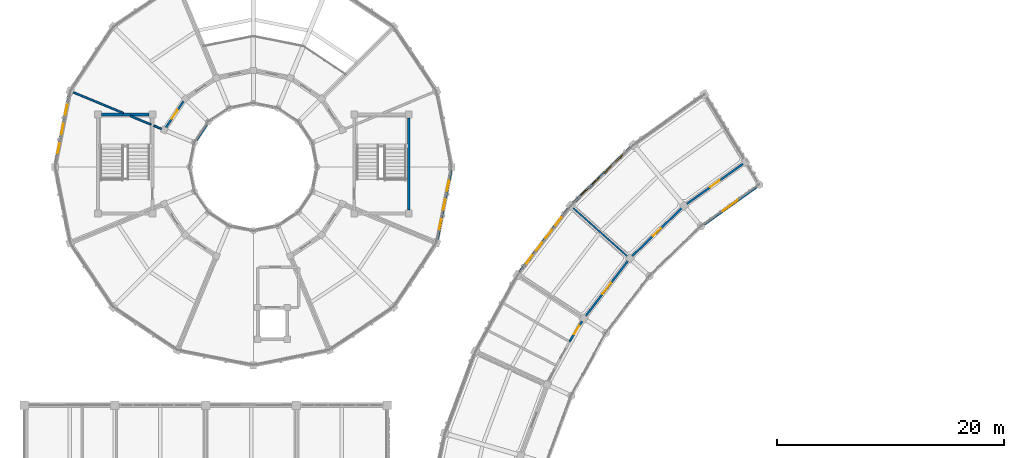
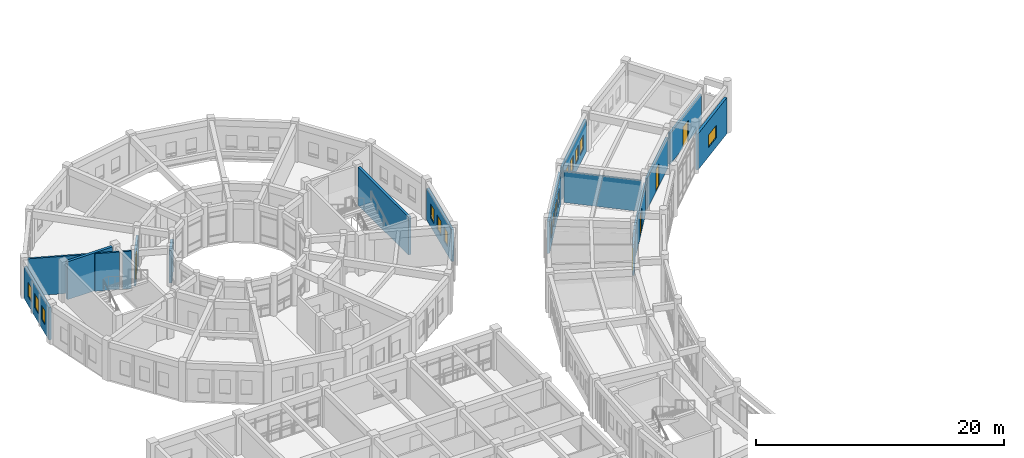
# One storey, part 129 of 159: 17 walls, 15 windows, 5 doors, 20 openings.
"""IFC4 building model written with IfcOpenShell, lengths in metres."""

from ifc_helpers import new_model, si_unit, direction, frame, frame_2d, origin, place, context, subcontext, project, spatial, rectangle, extrude, material, layer, layer_set, type_object, element, fill, save


model = new_model("IFC4")

# Units and contexts
model_context = context("Model", 3, precision=1e-05, world=origin(), true_north=direction((0.0, 1.0)))
body_context = subcontext(model_context, "Body", "Model", "MODEL_VIEW")
ifc_project = project(units=[si_unit("LENGTHUNIT", "METRE"), si_unit("AREAUNIT", "SQUARE_METRE"), si_unit("VOLUMEUNIT", "CUBIC_METRE"), si_unit("PLANEANGLEUNIT", "RADIAN"), si_unit("MASSUNIT", "GRAM", prefix="KILO")], contexts=[model_context])

# Site, building, storey
site_placement = place(None, origin())
site = spatial("IfcSite", under=ifc_project, at=site_placement, CompositionType="ELEMENT")
building_placement = place(site_placement, origin())
building = spatial("IfcBuilding", under=site, at=building_placement, Name="Celadon Cloister-Ring School", CompositionType="ELEMENT")
storey_placement = place(building_placement, frame((0.0, 0.0, 4.5)))
storey = spatial("IfcBuildingStorey", under=building, at=storey_placement, Name="L01", CompositionType="ELEMENT", Elevation=4.5)

# Wall, opening, window
ifc_material_1 = material(Name="Rendered concrete blockwork", Category="masonry")
ifc_layer_1 = layer(ifc_material_1, 0.239990234375)
ifc_layer_set_1 = layer_set([ifc_layer_1], Name="Rendered concrete blockwork")
wall_type_1 = type_object("IfcWallType", Name="WT-EX3", PredefinedType="SOLIDWALL", material=ifc_layer_set_1)
wall_1_placement = place(storey_placement, frame((64.56396484375, 95.2451171875, 0.0), z_axis=(0.0, 0.0, 1.0), x_axis=(-0.813415945059, -0.581682473798, 0.0)))
wall_1 = element("IfcWall", 1, at=wall_1_placement, inside=storey, type_object=wall_type_1, Name="Exterior Wall 0054", PredefinedType="SOLIDWALL", context=body_context, shape_type="SweptSolid", body=[
    extrude(rectangle(XDim=5.664794921875, YDim=0.239990234375, at=frame_2d((2.83251953125, 0.0))), origin(), (0.0, 0.0, 1.0), 3.550048828125),
])
opening_1_placement = place(wall_1_placement, frame((2.031982421875, 0.0, 0.89990234375)))
opening_1 = element("IfcOpeningElement", 2, at=opening_1_placement, cuts=wall_1, Name="Opening WN-16", PredefinedType="OPENING", context=body_context, shape_type="SweptSolid", body=[
    extrude(rectangle(XDim=1.60009765625, YDim=1.25, at=frame_2d((0.800048828125, 0.625))), frame((0.0, 0.1298828125, 0.0), z_axis=(0.0, -1.0, 0.0), x_axis=(1.0, 0.0, 0.0)), (0.0, 0.0, 1.0), 0.260009765625),
])
ifc_material_2 = material(Name="Tempered laminated insulating glass", Category="glass")
window_type_1 = type_object("IfcWindowType", Name="WN-16", PartitioningType="DOUBLE_PANEL_VERTICAL", PredefinedType="WINDOW", material=ifc_material_2)
window_1_placement = place(opening_1_placement, origin())
window_1 = element("IfcWindow", 3, at=window_1_placement, inside=storey, type_object=window_type_1, Name="Window 0132", OverallHeight=1.25, OverallWidth=1.60009765625, PartitioningType="SINGLE_PANEL", PredefinedType="WINDOW", context=body_context, shape_type="SweptSolid", body=[
    extrude(rectangle(XDim=1.60009765625, YDim=1.25, at=frame_2d((0.800048828125, 0.625))), frame((0.0, 0.030029296875, 0.0), z_axis=(0.0, -1.0, 0.0), x_axis=(1.0, 0.0, 0.0)), (0.0, 0.0, 1.0), 0.06005859375),
])
fill(opening_1, window_1)

# Wall
wall_2_placement = place(storey_placement, frame((16.0859375, 100.72998046875, 0.0), z_axis=(0.0, 0.0, 1.0), x_axis=(-0.555287078904, -0.83165874011, 0.0)))
element("IfcWall", 4, at=wall_2_placement, inside=storey, type_object=wall_type_1, Name="Exterior Wall 0239", PredefinedType="SOLIDWALL", context=body_context, shape_type="SweptSolid", body=[
    extrude(rectangle(XDim=1.631591796875, YDim=0.239990234375, at=frame_2d((0.81591796875, 0.0))), origin(), (0.0, 0.0, 1.0), 3.221923828125),
])

# Wall, openings, windows
ifc_material_3 = material(Name="Perforated terracotta clay brick masonry", Category="masonry")
ifc_layer_2 = layer(ifc_material_3, 0.219970703125)
ifc_layer_set_2 = layer_set([ifc_layer_2], Name="Perforated terracotta clay brick masonry")
wall_type_2 = type_object("IfcWallType", Name="WT-EX4", PredefinedType="SOLIDWALL", material=ifc_layer_set_2)
wall_3_placement = place(storey_placement, frame((48.408935546875, 93.818115234375, 0.0), z_axis=(0.0, 0.0, 1.0), x_axis=(0.718677705088, 0.695343336927, 0.0)))
wall_3 = element("IfcWall", 5, at=wall_3_placement, inside=storey, type_object=wall_type_2, Name="Exterior Wall 0055", PredefinedType="SOLIDWALL", context=body_context, shape_type="SweptSolid", body=[
    extrude(rectangle(XDim=7.031005859375, YDim=0.219970703125, at=frame_2d((3.515625, 0.0))), origin(), (0.0, 0.0, 1.0), 3.172119140625),
])
opening_2_placement = place(wall_3_placement, frame((0.9560546875, 0.0, 0.85009765625)))
opening_2 = element("IfcOpeningElement", 6, at=opening_2_placement, cuts=wall_3, Name="Opening WN-21", PredefinedType="OPENING", context=body_context, shape_type="SweptSolid", body=[
    extrude(rectangle(XDim=0.89990234375, YDim=1.39990234375, at=frame_2d((0.449951171875, 0.699951171875))), frame((0.0, 0.1201171875, 0.0), z_axis=(0.0, -1.0, 0.0), x_axis=(1.0, 0.0, 0.0)), (0.0, 0.0, 1.0), 0.239990234375),
])
opening_3_placement = place(wall_3_placement, frame((2.362060546875, 0.0, 0.85009765625)))
opening_3 = element("IfcOpeningElement", 7, at=opening_3_placement, cuts=wall_3, Name="Opening WN-21", PredefinedType="OPENING", context=body_context, shape_type="SweptSolid", body=[
    extrude(rectangle(XDim=0.89990234375, YDim=1.39990234375, at=frame_2d((0.449951171875, 0.699951171875))), frame((0.0, 0.1201171875, 0.0), z_axis=(0.0, -1.0, 0.0), x_axis=(1.0, 0.0, 0.0)), (0.0, 0.0, 1.0), 0.239990234375),
])
opening_4_placement = place(wall_3_placement, frame((3.76904296875, 0.0, 0.85009765625)))
opening_4 = element("IfcOpeningElement", 8, at=opening_4_placement, cuts=wall_3, Name="Opening WN-21", PredefinedType="OPENING", context=body_context, shape_type="SweptSolid", body=[
    extrude(rectangle(XDim=0.89990234375, YDim=1.39990234375, at=frame_2d((0.449951171875, 0.699951171875))), frame((0.0, 0.1201171875, 0.0), z_axis=(0.0, -1.0, 0.0), x_axis=(1.0, 0.0, 0.0)), (0.0, 0.0, 1.0), 0.239990234375),
])
opening_5_placement = place(wall_3_placement, frame((5.175048828125, 0.0, 0.85009765625)))
opening_5 = element("IfcOpeningElement", 9, at=opening_5_placement, cuts=wall_3, Name="Opening WN-21", PredefinedType="OPENING", context=body_context, shape_type="SweptSolid", body=[
    extrude(rectangle(XDim=0.89990234375, YDim=1.39990234375, at=frame_2d((0.449951171875, 0.699951171875))), frame((0.0, 0.1201171875, 0.0), z_axis=(0.0, -1.0, 0.0), x_axis=(1.0, 0.0, 0.0)), (0.0, 0.0, 1.0), 0.239990234375),
])
ifc_material_4 = material(Name="Tempered laminated insulating glass", Category="glass")
window_type_2 = type_object("IfcWindowType", Name="WN-21", PartitioningType="SINGLE_PANEL", PredefinedType="WINDOW", material=ifc_material_4)
window_2_placement = place(opening_2_placement, origin())
window_2 = element("IfcWindow", 10, at=window_2_placement, inside=storey, type_object=window_type_2, Name="Window 0133", OverallHeight=1.39990234375, OverallWidth=0.89990234375, PartitioningType="SINGLE_PANEL", PredefinedType="WINDOW", context=body_context, shape_type="SweptSolid", body=[
    extrude(rectangle(XDim=0.89990234375, YDim=1.39990234375, at=frame_2d((0.449951171875, 0.699951171875))), frame((0.0, 0.030029296875, 0.0), z_axis=(0.0, -1.0, 0.0), x_axis=(1.0, 0.0, 0.0)), (0.0, 0.0, 1.0), 0.06005859375),
])
fill(opening_2, window_2)
window_3_placement = place(opening_3_placement, origin())
window_3 = element("IfcWindow", 11, at=window_3_placement, inside=storey, type_object=window_type_2, Name="Window 0134", OverallHeight=1.39990234375, OverallWidth=0.89990234375, PartitioningType="SINGLE_PANEL", PredefinedType="WINDOW", context=body_context, shape_type="SweptSolid", body=[
    extrude(rectangle(XDim=0.89990234375, YDim=1.39990234375, at=frame_2d((0.449951171875, 0.699951171875))), frame((0.0, 0.030029296875, 0.0), z_axis=(0.0, -1.0, 0.0), x_axis=(1.0, 0.0, 0.0)), (0.0, 0.0, 1.0), 0.06005859375),
])
fill(opening_3, window_3)
window_4_placement = place(opening_4_placement, origin())
window_4 = element("IfcWindow", 12, at=window_4_placement, inside=storey, type_object=window_type_2, Name="Window 0135", OverallHeight=1.39990234375, OverallWidth=0.89990234375, PartitioningType="SINGLE_PANEL", PredefinedType="WINDOW", context=body_context, shape_type="SweptSolid", body=[
    extrude(rectangle(XDim=0.89990234375, YDim=1.39990234375, at=frame_2d((0.449951171875, 0.699951171875))), frame((0.0, 0.030029296875, 0.0), z_axis=(0.0, -1.0, 0.0), x_axis=(1.0, 0.0, 0.0)), (0.0, 0.0, 1.0), 0.06005859375),
])
fill(opening_4, window_4)
window_5_placement = place(opening_5_placement, origin())
window_5 = element("IfcWindow", 13, at=window_5_placement, inside=storey, type_object=window_type_2, Name="Window 0136", OverallHeight=1.39990234375, OverallWidth=0.89990234375, PartitioningType="SINGLE_PANEL", PredefinedType="WINDOW", context=body_context, shape_type="SweptSolid", body=[
    extrude(rectangle(XDim=0.89990234375, YDim=1.39990234375, at=frame_2d((0.449951171875, 0.699951171875))), frame((0.0, 0.030029296875, 0.0), z_axis=(0.0, -1.0, 0.0), x_axis=(1.0, 0.0, 0.0)), (0.0, 0.0, 1.0), 0.06005859375),
])
fill(opening_5, window_5)

wall_4_placement = place(storey_placement, frame((43.68798828125, 87.73388671875, 0.0), z_axis=(0.0, 0.0, 1.0), x_axis=(0.60805685998, 0.793893478391, 0.0)))
wall_4 = element("IfcWall", 14, at=wall_4_placement, inside=storey, type_object=wall_type_2, Name="Exterior Wall 0056", PredefinedType="SOLIDWALL", context=body_context, shape_type="SweptSolid", body=[
    extrude(rectangle(XDim=7.032470703125, YDim=0.219970703125, at=frame_2d((3.51611328125, 0.0))), origin(), (0.0, 0.0, 1.0), 3.172119140625),
])
opening_6_placement = place(wall_4_placement, frame((0.9560546875, 0.0, 0.85009765625)))
opening_6 = element("IfcOpeningElement", 15, at=opening_6_placement, cuts=wall_4, Name="Opening WN-21", PredefinedType="OPENING", context=body_context, shape_type="SweptSolid", body=[
    extrude(rectangle(XDim=0.89990234375, YDim=1.39990234375, at=frame_2d((0.449951171875, 0.699951171875))), frame((0.0, 0.1201171875, 0.0), z_axis=(0.0, -1.0, 0.0), x_axis=(1.0, 0.0, 0.0)), (0.0, 0.0, 1.0), 0.239990234375),
])
opening_7_placement = place(wall_4_placement, frame((2.363037109375, 0.0, 0.85009765625)))
opening_7 = element("IfcOpeningElement", 16, at=opening_7_placement, cuts=wall_4, Name="Opening WN-21", PredefinedType="OPENING", context=body_context, shape_type="SweptSolid", body=[
    extrude(rectangle(XDim=0.89990234375, YDim=1.39990234375, at=frame_2d((0.449951171875, 0.699951171875))), frame((0.0, 0.1201171875, 0.0), z_axis=(0.0, -1.0, 0.0), x_axis=(1.0, 0.0, 0.0)), (0.0, 0.0, 1.0), 0.239990234375),
])
opening_8_placement = place(wall_4_placement, frame((3.76904296875, 0.0, 0.85009765625)))
opening_8 = element("IfcOpeningElement", 17, at=opening_8_placement, cuts=wall_4, Name="Opening WN-21", PredefinedType="OPENING", context=body_context, shape_type="SweptSolid", body=[
    extrude(rectangle(XDim=0.89990234375, YDim=1.39990234375, at=frame_2d((0.449951171875, 0.699951171875))), frame((0.0, 0.1201171875, 0.0), z_axis=(0.0, -1.0, 0.0), x_axis=(1.0, 0.0, 0.0)), (0.0, 0.0, 1.0), 0.239990234375),
])
opening_9_placement = place(wall_4_placement, frame((5.176025390625, 0.0, 0.85009765625)))
opening_9 = element("IfcOpeningElement", 18, at=opening_9_placement, cuts=wall_4, Name="Opening WN-21", PredefinedType="OPENING", context=body_context, shape_type="SweptSolid", body=[
    extrude(rectangle(XDim=0.89990234375, YDim=1.39990234375, at=frame_2d((0.449951171875, 0.699951171875))), frame((0.0, 0.1201171875, 0.0), z_axis=(0.0, -1.0, 0.0), x_axis=(1.0, 0.0, 0.0)), (0.0, 0.0, 1.0), 0.239990234375),
])
window_6_placement = place(opening_6_placement, origin())
window_6 = element("IfcWindow", 19, at=window_6_placement, inside=storey, type_object=window_type_2, Name="Window 0137", OverallHeight=1.39990234375, OverallWidth=0.89990234375, PartitioningType="SINGLE_PANEL", PredefinedType="WINDOW", context=body_context, shape_type="SweptSolid", body=[
    extrude(rectangle(XDim=0.89990234375, YDim=1.39990234375, at=frame_2d((0.449951171875, 0.699951171875))), frame((0.0, 0.030029296875, 0.0), z_axis=(0.0, -1.0, 0.0), x_axis=(1.0, 0.0, 0.0)), (0.0, 0.0, 1.0), 0.06005859375),
])
fill(opening_6, window_6)
window_7_placement = place(opening_7_placement, origin())
window_7 = element("IfcWindow", 20, at=window_7_placement, inside=storey, type_object=window_type_2, Name="Window 0138", OverallHeight=1.39990234375, OverallWidth=0.89990234375, PartitioningType="SINGLE_PANEL", PredefinedType="WINDOW", context=body_context, shape_type="SweptSolid", body=[
    extrude(rectangle(XDim=0.89990234375, YDim=1.39990234375, at=frame_2d((0.449951171875, 0.699951171875))), frame((0.0, 0.030029296875, 0.0), z_axis=(0.0, -1.0, 0.0), x_axis=(1.0, 0.0, 0.0)), (0.0, 0.0, 1.0), 0.06005859375),
])
fill(opening_7, window_7)
window_8_placement = place(opening_8_placement, origin())
window_8 = element("IfcWindow", 21, at=window_8_placement, inside=storey, type_object=window_type_2, Name="Window 0139", OverallHeight=1.39990234375, OverallWidth=0.89990234375, PartitioningType="SINGLE_PANEL", PredefinedType="WINDOW", context=body_context, shape_type="SweptSolid", body=[
    extrude(rectangle(XDim=0.89990234375, YDim=1.39990234375, at=frame_2d((0.449951171875, 0.699951171875))), frame((0.0, 0.030029296875, 0.0), z_axis=(0.0, -1.0, 0.0), x_axis=(1.0, 0.0, 0.0)), (0.0, 0.0, 1.0), 0.06005859375),
])
fill(opening_8, window_8)
window_9_placement = place(opening_9_placement, origin())
window_9 = element("IfcWindow", 22, at=window_9_placement, inside=storey, type_object=window_type_2, Name="Window 0140", OverallHeight=1.39990234375, OverallWidth=0.89990234375, PartitioningType="SINGLE_PANEL", PredefinedType="WINDOW", context=body_context, shape_type="SweptSolid", body=[
    extrude(rectangle(XDim=0.89990234375, YDim=1.39990234375, at=frame_2d((0.449951171875, 0.699951171875))), frame((0.0, 0.030029296875, 0.0), z_axis=(0.0, -1.0, 0.0), x_axis=(1.0, 0.0, 0.0)), (0.0, 0.0, 1.0), 0.06005859375),
])
fill(opening_9, window_9)

wall_5_placement = place(storey_placement, frame((2.763916015625, 97.322998046875, 0.0), z_axis=(0.0, 0.0, 1.0), x_axis=(0.195164813773, 0.980770460131, 0.0)))
wall_5 = element("IfcWall", 23, at=wall_5_placement, inside=storey, type_object=wall_type_2, Name="Exterior Wall 0240", PredefinedType="SOLIDWALL", context=body_context, shape_type="SweptSolid", body=[
    extrude(rectangle(XDim=6.169677734375, YDim=0.219970703125, at=frame_2d((3.0849609375, 0.0))), origin(), (0.0, 0.0, 1.0), 3.172119140625),
])
opening_10_placement = place(wall_5_placement, frame((0.906982421875, 0.0, 0.85009765625)))
opening_10 = element("IfcOpeningElement", 24, at=opening_10_placement, cuts=wall_5, Name="Opening WN-21", PredefinedType="OPENING", context=body_context, shape_type="SweptSolid", body=[
    extrude(rectangle(XDim=0.89990234375, YDim=1.39990234375, at=frame_2d((0.449951171875, 0.699951171875))), frame((0.0, 0.1201171875, 0.0), z_axis=(0.0, -1.0, 0.0), x_axis=(1.0, 0.0, 0.0)), (0.0, 0.0, 1.0), 0.239990234375),
])
opening_11_placement = place(wall_5_placement, frame((2.635009765625, 0.0, 0.85009765625)))
opening_11 = element("IfcOpeningElement", 25, at=opening_11_placement, cuts=wall_5, Name="Opening WN-21", PredefinedType="OPENING", context=body_context, shape_type="SweptSolid", body=[
    extrude(rectangle(XDim=0.89990234375, YDim=1.39990234375, at=frame_2d((0.449951171875, 0.699951171875))), frame((0.0, 0.1201171875, 0.0), z_axis=(0.0, -1.0, 0.0), x_axis=(1.0, 0.0, 0.0)), (0.0, 0.0, 1.0), 0.239990234375),
])
opening_12_placement = place(wall_5_placement, frame((4.362060546875, 0.0, 0.85009765625)))
opening_12 = element("IfcOpeningElement", 26, at=opening_12_placement, cuts=wall_5, Name="Opening WN-21", PredefinedType="OPENING", context=body_context, shape_type="SweptSolid", body=[
    extrude(rectangle(XDim=0.89990234375, YDim=1.39990234375, at=frame_2d((0.449951171875, 0.699951171875))), frame((0.0, 0.1201171875, 0.0), z_axis=(0.0, -1.0, 0.0), x_axis=(1.0, 0.0, 0.0)), (0.0, 0.0, 1.0), 0.239990234375),
])
window_10_placement = place(opening_10_placement, origin())
window_10 = element("IfcWindow", 27, at=window_10_placement, inside=storey, type_object=window_type_2, Name="Window 0640", OverallHeight=1.39990234375, OverallWidth=0.89990234375, PartitioningType="SINGLE_PANEL", PredefinedType="WINDOW", context=body_context, shape_type="SweptSolid", body=[
    extrude(rectangle(XDim=0.89990234375, YDim=1.39990234375, at=frame_2d((0.449951171875, 0.699951171875))), frame((0.0, 0.030029296875, 0.0), z_axis=(0.0, -1.0, 0.0), x_axis=(1.0, 0.0, 0.0)), (0.0, 0.0, 1.0), 0.06005859375),
])
fill(opening_10, window_10)
window_11_placement = place(opening_11_placement, origin())
window_11 = element("IfcWindow", 28, at=window_11_placement, inside=storey, type_object=window_type_2, Name="Window 0641", OverallHeight=1.39990234375, OverallWidth=0.89990234375, PartitioningType="SINGLE_PANEL", PredefinedType="WINDOW", context=body_context, shape_type="SweptSolid", body=[
    extrude(rectangle(XDim=0.89990234375, YDim=1.39990234375, at=frame_2d((0.449951171875, 0.699951171875))), frame((0.0, 0.030029296875, 0.0), z_axis=(0.0, -1.0, 0.0), x_axis=(1.0, 0.0, 0.0)), (0.0, 0.0, 1.0), 0.06005859375),
])
fill(opening_11, window_11)
window_12_placement = place(opening_12_placement, origin())
window_12 = element("IfcWindow", 29, at=window_12_placement, inside=storey, type_object=window_type_2, Name="Window 0642", OverallHeight=1.39990234375, OverallWidth=0.89990234375, PartitioningType="SINGLE_PANEL", PredefinedType="WINDOW", context=body_context, shape_type="SweptSolid", body=[
    extrude(rectangle(XDim=0.89990234375, YDim=1.39990234375, at=frame_2d((0.449951171875, 0.699951171875))), frame((0.0, 0.030029296875, 0.0), z_axis=(0.0, -1.0, 0.0), x_axis=(1.0, 0.0, 0.0)), (0.0, 0.0, 1.0), 0.06005859375),
])
fill(opening_12, window_12)

wall_6_placement = place(storey_placement, frame((37.635986328125, 96.677001953125, 0.0), z_axis=(0.0, 0.0, 1.0), x_axis=(-0.195164813773, -0.980770460131, 0.0)))
wall_6 = element("IfcWall", 30, at=wall_6_placement, inside=storey, type_object=wall_type_2, Name="Exterior Wall 0250", PredefinedType="SOLIDWALL", context=body_context, shape_type="SweptSolid", body=[
    extrude(rectangle(XDim=6.169677734375, YDim=0.219970703125, at=frame_2d((3.0849609375, 0.0))), origin(), (0.0, 0.0, 1.0), 3.172119140625),
])
opening_13_placement = place(wall_6_placement, frame((0.906982421875, 0.0, 0.85009765625)))
opening_13 = element("IfcOpeningElement", 31, at=opening_13_placement, cuts=wall_6, Name="Opening WN-21", PredefinedType="OPENING", context=body_context, shape_type="SweptSolid", body=[
    extrude(rectangle(XDim=0.89990234375, YDim=1.39990234375, at=frame_2d((0.449951171875, 0.699951171875))), frame((0.0, 0.1201171875, 0.0), z_axis=(0.0, -1.0, 0.0), x_axis=(1.0, 0.0, 0.0)), (0.0, 0.0, 1.0), 0.239990234375),
])
opening_14_placement = place(wall_6_placement, frame((2.635009765625, 0.0, 0.85009765625)))
opening_14 = element("IfcOpeningElement", 32, at=opening_14_placement, cuts=wall_6, Name="Opening WN-21", PredefinedType="OPENING", context=body_context, shape_type="SweptSolid", body=[
    extrude(rectangle(XDim=0.89990234375, YDim=1.39990234375, at=frame_2d((0.449951171875, 0.699951171875))), frame((0.0, 0.1201171875, 0.0), z_axis=(0.0, -1.0, 0.0), x_axis=(1.0, 0.0, 0.0)), (0.0, 0.0, 1.0), 0.239990234375),
])
opening_15_placement = place(wall_6_placement, frame((4.362060546875, 0.0, 0.85009765625)))
opening_15 = element("IfcOpeningElement", 33, at=opening_15_placement, cuts=wall_6, Name="Opening WN-21", PredefinedType="OPENING", context=body_context, shape_type="SweptSolid", body=[
    extrude(rectangle(XDim=0.89990234375, YDim=1.39990234375, at=frame_2d((0.449951171875, 0.699951171875))), frame((0.0, 0.1201171875, 0.0), z_axis=(0.0, -1.0, 0.0), x_axis=(1.0, 0.0, 0.0)), (0.0, 0.0, 1.0), 0.239990234375),
])
window_13_placement = place(opening_13_placement, origin())
window_13 = element("IfcWindow", 34, at=window_13_placement, inside=storey, type_object=window_type_2, Name="Window 0664", OverallHeight=1.39990234375, OverallWidth=0.89990234375, PartitioningType="SINGLE_PANEL", PredefinedType="WINDOW", context=body_context, shape_type="SweptSolid", body=[
    extrude(rectangle(XDim=0.89990234375, YDim=1.39990234375, at=frame_2d((0.449951171875, 0.699951171875))), frame((0.0, 0.030029296875, 0.0), z_axis=(0.0, -1.0, 0.0), x_axis=(1.0, 0.0, 0.0)), (0.0, 0.0, 1.0), 0.06005859375),
])
fill(opening_13, window_13)
window_14_placement = place(opening_14_placement, origin())
window_14 = element("IfcWindow", 35, at=window_14_placement, inside=storey, type_object=window_type_2, Name="Window 0665", OverallHeight=1.39990234375, OverallWidth=0.89990234375, PartitioningType="SINGLE_PANEL", PredefinedType="WINDOW", context=body_context, shape_type="SweptSolid", body=[
    extrude(rectangle(XDim=0.89990234375, YDim=1.39990234375, at=frame_2d((0.449951171875, 0.699951171875))), frame((0.0, 0.030029296875, 0.0), z_axis=(0.0, -1.0, 0.0), x_axis=(1.0, 0.0, 0.0)), (0.0, 0.0, 1.0), 0.06005859375),
])
fill(opening_14, window_14)
window_15_placement = place(opening_15_placement, origin())
window_15 = element("IfcWindow", 36, at=window_15_placement, inside=storey, type_object=window_type_2, Name="Window 0666", OverallHeight=1.39990234375, OverallWidth=0.89990234375, PartitioningType="SINGLE_PANEL", PredefinedType="WINDOW", context=body_context, shape_type="SweptSolid", body=[
    extrude(rectangle(XDim=0.89990234375, YDim=1.39990234375, at=frame_2d((0.449951171875, 0.699951171875))), frame((0.0, 0.030029296875, 0.0), z_axis=(0.0, -1.0, 0.0), x_axis=(1.0, 0.0, 0.0)), (0.0, 0.0, 1.0), 0.06005859375),
])
fill(opening_15, window_15)

# Wall, opening, door
ifc_material_5 = material(Name="Plastered hollow concrete masonry", Category="masonry")
ifc_layer_3 = layer(ifc_material_5, 0.179931640625)
ifc_layer_set_3 = layer_set([ifc_layer_3], Name="Plastered hollow concrete masonry")
wall_type_3 = type_object("IfcWallType", Name="WT-PT2", PredefinedType="PARTITIONING", material=ifc_layer_set_3)
wall_7_placement = place(storey_placement, frame((63.3701171875, 97.27197265625, 0.0), z_axis=(0.0, 0.0, 1.0), x_axis=(-0.813478411551, -0.581595111688, 0.0)))
wall_7 = element("IfcWall", 37, at=wall_7_placement, inside=storey, type_object=wall_type_3, Name="Interior Wall 0506", PredefinedType="PARTITIONING", context=body_context, shape_type="SweptSolid", body=[
    extrude(rectangle(XDim=6.081298828125, YDim=0.179931640625, at=frame_2d((3.04052734375, 0.0))), origin(), (0.0, 0.0, 1.0), 3.072021484375),
])
opening_16_placement = place(wall_7_placement, frame((2.541015625, 0.0, 0.0)))
opening_16 = element("IfcOpeningElement", 38, at=opening_16_placement, cuts=wall_7, Name="Opening D-0144", PredefinedType="OPENING", context=body_context, shape_type="SweptSolid", body=[
    extrude(rectangle(XDim=1.0, YDim=2.10009765625, at=frame_2d((0.5, 1.050048828125))), frame((0.0, 0.10009765625, 0.0), z_axis=(0.0, -1.0, 0.0), x_axis=(1.0, 0.0, 0.0)), (0.0, 0.0, 1.0), 0.199951171875),
])
ifc_material_6 = material(Name="Solid-core fire-rated hardwood leaf", Category="wood")
door_type_1 = type_object("IfcDoorType", Name="DT-04", OperationType="NOTDEFINED", PredefinedType="DOOR", material=ifc_material_6)
door_1_placement = place(opening_16_placement, origin())
door_1 = element("IfcDoor", 39, at=door_1_placement, inside=storey, type_object=door_type_1, Name="Door D-0144", OperationType="SINGLE_SWING_RIGHT", OverallHeight=2.10009765625, OverallWidth=1.0, PredefinedType="DOOR", context=body_context, shape_type="SweptSolid", body=[
    extrude(rectangle(XDim=1.0, YDim=2.10009765625, at=frame_2d((0.5, 1.050048828125))), frame((0.0, 0.02490234375, 0.0), z_axis=(0.0, -1.0, 0.0), x_axis=(1.0, 0.0, 0.0)), (0.0, 0.0, 1.0), 0.050048828125),
])
fill(opening_16, door_1)

wall_8_placement = place(storey_placement, frame((57.97509765625, 93.361083984375, 0.0), z_axis=(0.0, 0.0, 1.0), x_axis=(-0.7186137907, -0.695409390084, 0.0)))
wall_8 = element("IfcWall", 40, at=wall_8_placement, inside=storey, type_object=wall_type_3, Name="Interior Wall 0507", PredefinedType="PARTITIONING", context=body_context, shape_type="SweptSolid", body=[
    extrude(rectangle(XDim=6.081298828125, YDim=0.179931640625, at=frame_2d((3.04052734375, 0.0))), origin(), (0.0, 0.0, 1.0), 3.072021484375),
])
opening_17_placement = place(wall_8_placement, frame((2.551025390625, 0.0, 0.0)))
opening_17 = element("IfcOpeningElement", 41, at=opening_17_placement, cuts=wall_8, Name="Opening D-0145", PredefinedType="OPENING", context=body_context, shape_type="SweptSolid", body=[
    extrude(rectangle(XDim=0.97998046875, YDim=2.199951171875, at=frame_2d((0.489990234375, 1.10009765625))), frame((0.0, 0.10009765625, 0.0), z_axis=(0.0, -1.0, 0.0), x_axis=(1.0, 0.0, 0.0)), (0.0, 0.0, 1.0), 0.199951171875),
])
ifc_material_7 = material(Name="Solid-core fire-rated hardwood leaf", Category="wood")
door_type_2 = type_object("IfcDoorType", Name="DT-07", OperationType="NOTDEFINED", PredefinedType="DOOR", material=ifc_material_7)
door_2_placement = place(opening_17_placement, origin())
door_2 = element("IfcDoor", 42, at=door_2_placement, inside=storey, type_object=door_type_2, Name="Door D-0145", OperationType="SINGLE_SWING_LEFT", OverallHeight=2.199951171875, OverallWidth=0.97998046875, PredefinedType="DOOR", context=body_context, shape_type="SweptSolid", body=[
    extrude(rectangle(XDim=0.97998046875, YDim=2.199951171875, at=frame_2d((0.489990234375, 1.10009765625))), frame((0.0, 0.02490234375, 0.0), z_axis=(0.0, -1.0, 0.0), x_axis=(1.0, 0.0, 0.0)), (0.0, 0.0, 1.0), 0.050048828125),
])
fill(opening_17, door_2)

wall_9_placement = place(storey_placement, frame((53.217041015625, 88.696044921875, 0.0), z_axis=(0.0, 0.0, 1.0), x_axis=(-0.607883612756, -0.794026141473, 0.0)))
wall_9 = element("IfcWall", 43, at=wall_9_placement, inside=storey, type_object=wall_type_3, Name="Interior Wall 0508", PredefinedType="PARTITIONING", context=body_context, shape_type="SweptSolid", body=[
    extrude(rectangle(XDim=6.081787109375, YDim=0.179931640625, at=frame_2d((3.041015625, 0.0))), origin(), (0.0, 0.0, 1.0), 3.072021484375),
])
opening_18_placement = place(wall_9_placement, frame((2.416015625, 0.0, 0.0)))
opening_18 = element("IfcOpeningElement", 44, at=opening_18_placement, cuts=wall_9, Name="Opening D-0146", PredefinedType="OPENING", context=body_context, shape_type="SweptSolid", body=[
    extrude(rectangle(XDim=1.25, YDim=2.199951171875, at=frame_2d((0.625, 1.10009765625))), frame((0.0, 0.10009765625, 0.0), z_axis=(0.0, -1.0, 0.0), x_axis=(1.0, 0.0, 0.0)), (0.0, 0.0, 1.0), 0.199951171875),
])
ifc_material_8 = material(Name="Galvanised fire-rated hollow steel leaf", Category="steel")
door_type_3 = type_object("IfcDoorType", Name="DT-10", OperationType="NOTDEFINED", PredefinedType="DOOR", material=ifc_material_8)
door_3_placement = place(opening_18_placement, origin())
door_3 = element("IfcDoor", 45, at=door_3_placement, inside=storey, type_object=door_type_3, Name="Door D-0146", OperationType="SINGLE_SWING_RIGHT", OverallHeight=2.199951171875, OverallWidth=1.25, PredefinedType="DOOR", context=body_context, shape_type="SweptSolid", body=[
    extrude(rectangle(XDim=1.25, YDim=2.199951171875, at=frame_2d((0.625, 1.10009765625))), frame((0.0, 0.02490234375, 0.0), z_axis=(0.0, -1.0, 0.0), x_axis=(1.0, 0.0, 0.0)), (0.0, 0.0, 1.0), 0.050048828125),
])
fill(opening_18, door_3)

wall_10_placement = place(storey_placement, frame((49.18896484375, 83.385986328125, 0.0), z_axis=(0.0, 0.0, 1.0), x_axis=(-0.525246440568, -0.850950161097, 0.0)))
wall_10 = element("IfcWall", 46, at=wall_10_placement, inside=storey, type_object=wall_type_3, Name="Interior Wall 0509", PredefinedType="PARTITIONING", context=body_context, shape_type="SweptSolid", body=[
    extrude(rectangle(XDim=2.109375, YDim=0.179931640625, at=frame_2d((1.0546875, 0.0))), origin(), (0.0, 0.0, 1.0), 3.072021484375),
])
opening_19_placement = place(wall_10_placement, frame((0.468994140625, 0.0, 0.0)))
opening_19 = element("IfcOpeningElement", 47, at=opening_19_placement, cuts=wall_10, Name="Opening D-0147", PredefinedType="OPENING", context=body_context, shape_type="SweptSolid", body=[
    extrude(rectangle(XDim=0.8798828125, YDim=2.10009765625, at=frame_2d((0.43994140625, 1.050048828125))), frame((0.0, 0.10009765625, 0.0), z_axis=(0.0, -1.0, 0.0), x_axis=(1.0, 0.0, 0.0)), (0.0, 0.0, 1.0), 0.199951171875),
])
ifc_material_9 = material(Name="Solid-core fire-rated hardwood leaf", Category="wood")
door_type_4 = type_object("IfcDoorType", Name="DT-01", OperationType="NOTDEFINED", PredefinedType="DOOR", material=ifc_material_9)
door_4_placement = place(opening_19_placement, origin())
door_4 = element("IfcDoor", 48, at=door_4_placement, inside=storey, type_object=door_type_4, Name="Door D-0147", OperationType="SINGLE_SWING_LEFT", OverallHeight=2.10009765625, OverallWidth=0.8798828125, PredefinedType="DOOR", context=body_context, shape_type="SweptSolid", body=[
    extrude(rectangle(XDim=0.8798828125, YDim=2.10009765625, at=frame_2d((0.43994140625, 1.050048828125))), frame((0.0, 0.02490234375, 0.0), z_axis=(0.0, -1.0, 0.0), x_axis=(1.0, 0.0, 0.0)), (0.0, 0.0, 1.0), 0.050048828125),
])
fill(opening_19, door_4)

wall_11_placement = place(storey_placement, frame((14.0390625, 102.783935546875, 0.0), z_axis=(0.0, 0.0, 1.0), x_axis=(-0.555797002478, -0.831318045056, 0.0)))
wall_11 = element("IfcWall", 49, at=wall_11_placement, inside=storey, type_object=wall_type_3, Name="Interior Wall 0693", PredefinedType="PARTITIONING", context=body_context, shape_type="SweptSolid", body=[
    extrude(rectangle(XDim=2.772705078125, YDim=0.179931640625, at=frame_2d((1.38623046875, 0.0))), origin(), (0.0, 0.0, 1.0), 3.072021484375),
])
opening_20_placement = place(wall_11_placement, frame((0.926025390625, 0.0, 0.0)))
opening_20 = element("IfcOpeningElement", 50, at=opening_20_placement, cuts=wall_11, Name="Opening D-0253", PredefinedType="OPENING", context=body_context, shape_type="SweptSolid", body=[
    extrude(rectangle(XDim=0.919921875, YDim=2.10009765625, at=frame_2d((0.4599609375, 1.050048828125))), frame((0.0, 0.10009765625, 0.0), z_axis=(0.0, -1.0, 0.0), x_axis=(1.0, 0.0, 0.0)), (0.0, 0.0, 1.0), 0.199951171875),
])
ifc_material_10 = material(Name="Solid-core fire-rated hardwood leaf", Category="wood")
door_type_5 = type_object("IfcDoorType", Name="DT-02", OperationType="NOTDEFINED", PredefinedType="DOOR", material=ifc_material_10)
door_5_placement = place(opening_20_placement, origin())
door_5 = element("IfcDoor", 51, at=door_5_placement, inside=storey, type_object=door_type_5, Name="Door D-0253", OperationType="SINGLE_SWING_LEFT", OverallHeight=2.10009765625, OverallWidth=0.919921875, PredefinedType="DOOR", context=body_context, shape_type="SweptSolid", body=[
    extrude(rectangle(XDim=0.919921875, YDim=2.10009765625, at=frame_2d((0.4599609375, 1.050048828125))), frame((0.0, 0.02490234375, 0.0), z_axis=(0.0, -1.0, 0.0), x_axis=(1.0, 0.0, 0.0)), (0.0, 0.0, 1.0), 0.050048828125),
])
fill(opening_20, door_5)

# Walls
ifc_material_11 = material(Name="Plastered hollow concrete masonry", Category="masonry")
ifc_layer_4 = layer(ifc_material_11, 0.159912109375)
ifc_layer_set_4 = layer_set([ifc_layer_4], Name="Plastered hollow concrete masonry")
wall_type_4 = type_object("IfcWallType", Name="WT-PT3", PredefinedType="PARTITIONING", material=ifc_layer_set_4)
wall_12_placement = place(storey_placement, frame((12.10009765625, 100.35498046875, 0.0), z_axis=(0.0, 0.0, 1.0), x_axis=(-0.924069600435, 0.382224245113, 0.0)))
element("IfcWall", 52, at=wall_12_placement, inside=storey, type_object=wall_type_4, Name="Interior Wall 0675", PredefinedType="PARTITIONING", context=body_context, shape_type="SweptSolid", body=[
    extrude(rectangle(XDim=0.732666015625, YDim=0.159912109375, at=frame_2d((0.3662109375, 0.0))), origin(), (0.0, 0.0, 1.0), 3.699951171875),
])
wall_13_placement = place(storey_placement, frame((11.177001953125, 100.737060546875, 0.0), z_axis=(0.0, 0.0, 1.0), x_axis=(-0.923817443679, 0.382833293686, 0.0)))
element("IfcWall", 53, at=wall_13_placement, inside=storey, type_object=wall_type_4, Name="Interior Wall 0676", PredefinedType="PARTITIONING", context=body_context, shape_type="SweptSolid", body=[
    extrude(rectangle(XDim=1.985107421875, YDim=0.159912109375, at=frame_2d((0.99267578125, 0.0))), origin(), (0.0, 0.0, 1.0), 3.699951171875),
])
wall_14_placement = place(storey_placement, frame((8.7490234375, 101.742919921875, 0.0), z_axis=(0.0, 0.0, 1.0), x_axis=(-0.923877739946, 0.382687759972, 0.0)))
element("IfcWall", 54, at=wall_14_placement, inside=storey, type_object=wall_type_4, Name="Interior Wall 0677", PredefinedType="PARTITIONING", context=body_context, shape_type="SweptSolid", body=[
    extrude(rectangle(XDim=4.8134765625, YDim=0.159912109375, at=frame_2d((2.40673828125, 0.0))), origin(), (0.0, 0.0, 1.0), 3.699951171875),
])
ifc_material_12 = material(Name="Acoustic mineral-wool drywall partition")
ifc_layer_5 = layer(ifc_material_12, 0.139892578125)
ifc_layer_set_5 = layer_set([ifc_layer_5], Name="Acoustic mineral-wool drywall partition")
wall_type_5 = type_object("IfcWallType", Name="WT-PT4", PredefinedType="PARTITIONING", material=ifc_layer_set_5)
wall_15_placement = place(storey_placement, frame((53.177001953125, 89.1220703125, 0.0), z_axis=(0.0, 0.0, 1.0), x_axis=(-0.746692270919, 0.665169641934, 0.0)))
element("IfcWall", 55, at=wall_15_placement, inside=storey, type_object=wall_type_5, Name="Interior Wall 0483", PredefinedType="PARTITIONING", context=body_context, shape_type="SweptSolid", body=[
    extrude(rectangle(XDim=6.390869140625, YDim=0.139892578125, at=frame_2d((3.1953125, 0.0))), origin(), (0.0, 0.0, 1.0), 3.072021484375),
])
ifc_material_13 = material(Name="Concrete C40/50", Category="concrete")
ifc_layer_6 = layer(ifc_material_13, 0.239990234375)
ifc_layer_set_6 = layer_set([ifc_layer_6], Name="Concrete C40/50")
wall_type_6 = type_object("IfcWallType", Name="WT-SH1", PredefinedType="SHEAR", material=ifc_layer_set_6)
wall_16_placement = place(storey_placement, frame((11.008056640625, 101.6201171875, 0.0), z_axis=(0.0, 0.0, 1.0), x_axis=(-1.0, 0.0, 0.0)))
element("IfcWall", 56, at=wall_16_placement, inside=storey, type_object=wall_type_6, Name="Interior Wall 0088", PredefinedType="SHEAR", context=body_context, shape_type="SweptSolid", body=[
    extrude(rectangle(XDim=4.216064453125, YDim=0.239990234375, at=frame_2d((2.10791015625, 0.0))), origin(), (0.0, 0.0, 1.0), 3.739990234375),
])
wall_17_placement = place(storey_placement, frame((33.89990234375, 101.327880859375, 0.0), z_axis=(0.0, 0.0, 1.0), x_axis=(0.0, -1.0, 0.0)))
element("IfcWall", 57, at=wall_17_placement, inside=storey, type_object=wall_type_6, Name="Interior Wall 0102", PredefinedType="SHEAR", context=body_context, shape_type="SweptSolid", body=[
    extrude(rectangle(XDim=8.135986328125, YDim=0.239990234375, at=frame_2d((4.06787109375, 0.0))), origin(), (0.0, 0.0, 1.0), 3.739990234375),
])

save(model, "model.ifc")
